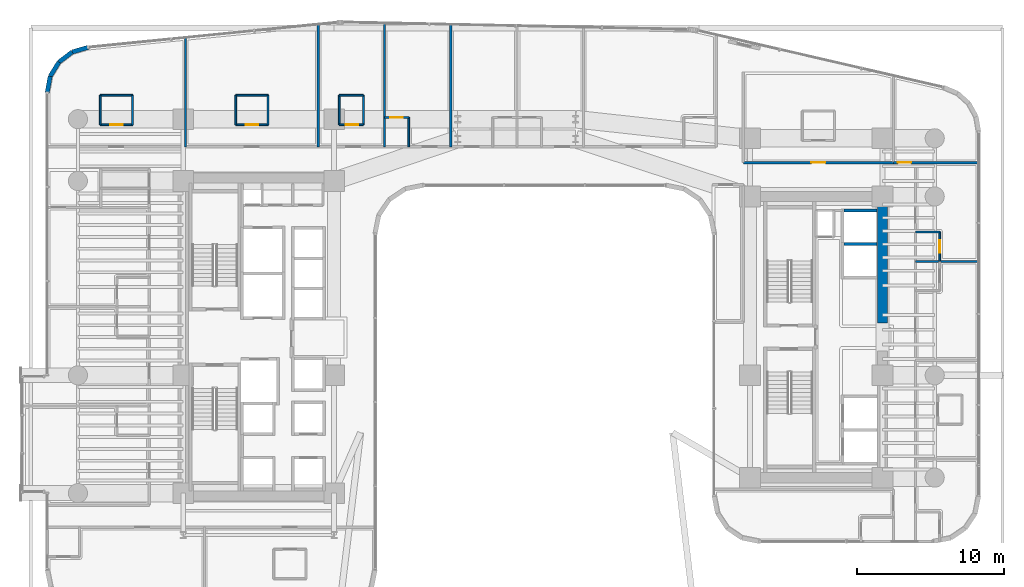
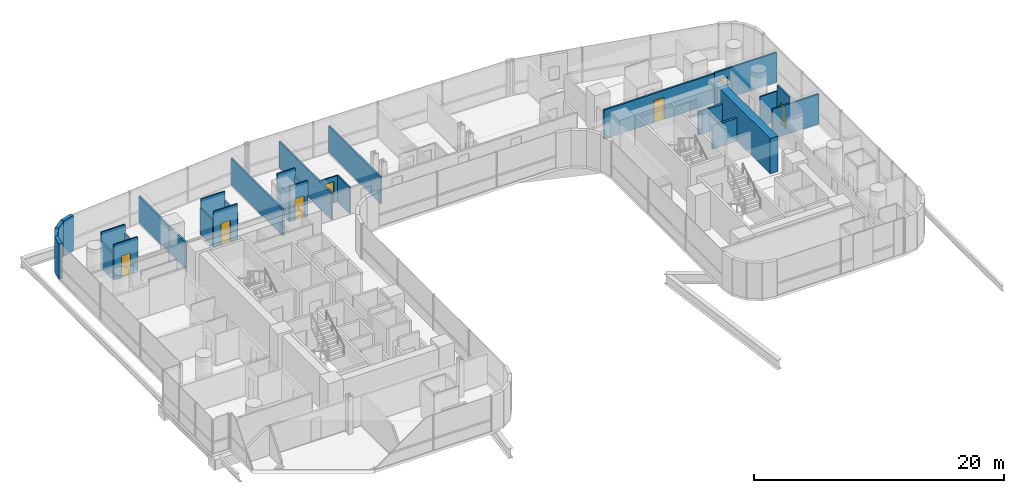
# One storey, part 42 of 50: 30 walls, 7 doors, 7 openings.
"""IFC4 building model written with IfcOpenShell, lengths in metres."""

from ifc_helpers import new_model, si_unit, direction, frame, frame_2d, origin, place, context, subcontext, project, spatial, rectangle, extrude, material, layer, layer_set, type_object, element, fill, save


model = new_model("IFC4")

# Units and contexts
model_context = context("Model", 3, precision=1e-05, world=origin(), true_north=direction((0.0, 1.0)))
body_context = subcontext(model_context, "Body", "Model", "MODEL_VIEW")
ifc_project = project(units=[si_unit("LENGTHUNIT", "METRE"), si_unit("AREAUNIT", "SQUARE_METRE"), si_unit("VOLUMEUNIT", "CUBIC_METRE"), si_unit("PLANEANGLEUNIT", "RADIAN"), si_unit("MASSUNIT", "GRAM", prefix="KILO")], contexts=[model_context])

# Site, building, storey
site_placement = place(None, origin())
site = spatial("IfcSite", under=ifc_project, at=site_placement, CompositionType="ELEMENT")
building_placement = place(site_placement, origin())
building = spatial("IfcBuilding", under=site, at=building_placement, Name="Valdorenza Pilgrim Sanctuary Tower", CompositionType="ELEMENT")
storey_placement = place(building_placement, frame((0.0, 0.0, 26.0)))
storey = spatial("IfcBuildingStorey", under=building, at=storey_placement, Name="L05", CompositionType="ELEMENT", Elevation=26.0)

# Wall, opening, door
ifc_material_1 = material(Name="Acoustic twin-stud gypsum partition", Category="gypsum")
ifc_layer_1 = layer(ifc_material_1, 0.159912109375, Name="Acoustic twin-stud gypsum partition")
ifc_layer_set_1 = layer_set([ifc_layer_1], Name="Acoustic twin-stud gypsum partition")
wall_type_1 = type_object("IfcWallType", Name="WAL-COR-160", PredefinedType="PARTITIONING", material=ifc_layer_set_1)
wall_1_placement = place(storey_placement, frame((15.39990234375, 11.85009765625, 0.0), z_axis=(0.0, 0.0, 1.0), x_axis=(1.0, 0.0, 0.0)))
wall_1 = element("IfcWall", 1, at=wall_1_placement, inside=storey, type_object=wall_type_1, Name="L05 Wing B North Corridor Wall", PredefinedType="PARTITIONING", context=body_context, shape_type="SweptSolid", body=[
    extrude(rectangle(XDim=10.2001953125, YDim=0.159912109375, at=frame_2d((5.10009765625, 0.0))), origin(), (0.0, 0.0, 1.0), 2.833984375),
])
opening_1_placement = place(wall_1_placement, frame((4.625, 0.0, 0.0)))
opening_1 = element("IfcOpeningElement", 2, at=opening_1_placement, cuts=wall_1, Name="Opening DR-UN1", PredefinedType="OPENING", context=body_context, shape_type="SweptSolid", body=[
    extrude(rectangle(XDim=0.949951171875, YDim=2.14990234375, at=frame_2d((0.47509765625, 1.074951171875))), frame((0.0, 0.0947265625, 0.0), z_axis=(0.0, -1.0, 0.0), x_axis=(1.0, 0.0, 0.0)), (0.0, 0.0, 1.0), 0.189697265625),
])
ifc_material_2 = material(Name="Solid-core European oak timber", Category="wood")
door_type_1 = type_object("IfcDoorType", Name="DR-UNIT-950", OperationType="NOTDEFINED", PredefinedType="DOOR", material=ifc_material_2)
door_1_placement = place(opening_1_placement, frame((0.949951171875, 0.0, 0.0), z_axis=(0.0, 0.0, 1.0), x_axis=(-1.0, 0.0, 0.0)))
door_1 = element("IfcDoor", 3, at=door_1_placement, inside=storey, type_object=door_type_1, Name="L05 East North Guest Room L05-EN1 Entrance Door", OperationType="SINGLE_SWING_LEFT", OverallHeight=2.14990234375, OverallWidth=0.949951171875, PredefinedType="DOOR", context=body_context, shape_type="SweptSolid", body=[
    extrude(rectangle(XDim=0.949951171875, YDim=2.14990234375, at=frame_2d((0.47509765625, 1.074951171875))), frame((0.0, 0.02490234375, 0.0), z_axis=(0.0, -1.0, 0.0), x_axis=(1.0, 0.0, 0.0)), (0.0, 0.0, 1.0), 0.050048828125),
])
fill(opening_1, door_1)

wall_2_placement = place(storey_placement, frame((25.60009765625, 11.85009765625, 0.0), z_axis=(0.0, 0.0, 1.0), x_axis=(1.0, 0.0, 0.0)))
wall_2 = element("IfcWall", 4, at=wall_2_placement, inside=storey, type_object=wall_type_1, Name="L05 East Wing NE Corner South Wall", PredefinedType="PARTITIONING", context=body_context, shape_type="SweptSolid", body=[
    extrude(rectangle(XDim=5.789794921875, YDim=0.159912109375, at=frame_2d((2.89501953125, 0.0))), origin(), (0.0, 0.0, 1.0), 2.89599609375),
])
opening_2_placement = place(wall_2_placement, frame((0.300048828125, 0.0, 0.0)))
opening_2 = element("IfcOpeningElement", 5, at=opening_2_placement, cuts=wall_2, Name="Opening DR-RM1", PredefinedType="OPENING", context=body_context, shape_type="SweptSolid", body=[
    extrude(rectangle(XDim=0.89990234375, YDim=2.10009765625, at=frame_2d((0.449951171875, 1.050048828125))), frame((0.0, 0.0947265625, 0.0), z_axis=(0.0, -1.0, 0.0), x_axis=(1.0, 0.0, 0.0)), (0.0, 0.0, 1.0), 0.189697265625),
])
door_type_2 = type_object("IfcDoorType", Name="DR-ROOM-900", OperationType="NOTDEFINED", PredefinedType="DOOR", material=ifc_material_2)
door_2_placement = place(opening_2_placement, origin())
door_2 = element("IfcDoor", 6, at=door_2_placement, inside=storey, type_object=door_type_2, Name="L05 East North Alcove Office L05 Door", OperationType="SINGLE_SWING_LEFT", OverallHeight=2.10009765625, OverallWidth=0.89990234375, PredefinedType="DOOR", context=body_context, shape_type="SweptSolid", body=[
    extrude(rectangle(XDim=0.89990234375, YDim=2.10009765625, at=frame_2d((0.449951171875, 1.050048828125))), frame((0.0, 0.02490234375, 0.0), z_axis=(0.0, -1.0, 0.0), x_axis=(1.0, 0.0, 0.0)), (0.0, 0.0, 1.0), 0.050048828125),
])
fill(opening_2, door_2)

# Walls
ifc_material_3 = material(Name="Concrete C60/75", Category="concrete")
ifc_layer_2 = layer(ifc_material_3, 0.699951171875, Name="Concrete C60/75")
ifc_layer_set_2 = layer_set([ifc_layer_2], Name="Concrete C60/75")
wall_type_2 = type_object("IfcWallType", Name="WAL-COR-700", PredefinedType="SHEAR", material=ifc_layer_set_2)
wall_3_placement = place(storey_placement, frame((24.85009765625, 0.949951171875, 0.0), z_axis=(0.0, 0.0, 1.0), x_axis=(0.0, 1.0, 0.0)))
element("IfcWall", 7, at=wall_3_placement, inside=storey, type_object=wall_type_2, Name="L05 Split Core B Shear Wall EN", PredefinedType="SHEAR", context=body_context, shape_type="SweptSolid", body=[
    extrude(rectangle(XDim=8.949951171875, YDim=0.699951171875, at=frame_2d((4.47509765625, 0.0))), origin(), (0.0, 0.0, 1.0), 3.4599609375),
])
ifc_material_4 = material(Name="Honed travertine limestone", Category="masonry")
ifc_layer_3 = layer(ifc_material_4, 0.300048828125, Name="Honed travertine limestone")
ifc_layer_set_3 = layer_set([ifc_layer_3], Name="Honed travertine limestone")
wall_type_3 = type_object("IfcWallType", Name="WAL-EXT-300", PredefinedType="SOLIDWALL", material=ifc_layer_set_3)
wall_4_placement = place(storey_placement, frame((-31.889892578125, 16.593994140625, 0.0), z_axis=(0.0, 0.0, 1.0), x_axis=(0.182748995683, 0.9831596028, 0.0)))
element("IfcWall", 8, at=wall_4_placement, inside=storey, type_object=wall_type_3, Name="L05 Rounded Wind-Corner Stone Pier 2", PredefinedType="SOLIDWALL", context=body_context, shape_type="SweptSolid", body=[
    extrude(rectangle(XDim=1.1396484375, YDim=0.300048828125, at=frame_2d((0.56982421875, 0.0))), origin(), (0.0, 0.0, 1.0), 3.4599609375),
])
wall_5_placement = place(storey_placement, frame((-31.681640625, 17.71435546875, 0.0), z_axis=(0.0, 0.0, 1.0), x_axis=(0.524157723014, 0.8516212077, 0.0)))
element("IfcWall", 9, at=wall_5_placement, inside=storey, type_object=wall_type_3, Name="L05 Rounded Wind-Corner Stone Pier 3", PredefinedType="SOLIDWALL", context=body_context, shape_type="SweptSolid", body=[
    extrude(rectangle(XDim=1.12939453125, YDim=0.300048828125, at=frame_2d((0.564697265625, 0.0))), origin(), (0.0, 0.0, 1.0), 3.4599609375),
])
wall_6_placement = place(storey_placement, frame((-31.089599609375, 18.67626953125, 0.0), z_axis=(0.0, 0.0, 1.0), x_axis=(0.795253002434, 0.606277710393, 0.0)))
element("IfcWall", 10, at=wall_6_placement, inside=storey, type_object=wall_type_3, Name="L05 Rounded Wind-Corner Stone Pier 4", PredefinedType="SOLIDWALL", context=body_context, shape_type="SweptSolid", body=[
    extrude(rectangle(XDim=1.129150390625, YDim=0.300048828125, at=frame_2d((0.564453125, 0.0))), origin(), (0.0, 0.0, 1.0), 3.4599609375),
])
wall_7_placement = place(storey_placement, frame((-30.191650390625, 19.36083984375, 0.0), z_axis=(0.0, 0.0, 1.0), x_axis=(0.960071941549, 0.279753225271, 0.0)))
element("IfcWall", 11, at=wall_7_placement, inside=storey, type_object=wall_type_3, Name="L05 Rounded Wind-Corner Stone Pier 5", PredefinedType="SOLIDWALL", context=body_context, shape_type="SweptSolid", body=[
    extrude(rectangle(XDim=1.1396484375, YDim=0.300048828125, at=frame_2d((0.56982421875, 0.0))), origin(), (0.0, 0.0, 1.0), 3.4599609375),
])
ifc_material_5 = material(Name="Moisture-resistant gypsum partition", Category="gypsum")
ifc_layer_4 = layer(ifc_material_5, 0.1201171875, Name="Moisture-resistant gypsum partition")
ifc_layer_set_4 = layer_set([ifc_layer_4], Name="Moisture-resistant gypsum partition")
wall_type_4 = type_object("IfcWallType", Name="WAL-INT-120", PredefinedType="PARTITIONING", material=ifc_layer_set_4)
for number, where, z_axis, x_axis, name in (
    (12, (-28.2900390625, 14.419921875, 0.0), (0.0, 0.0, 1.0), (0.0, 1.0, 0.0), "L05 North Guest Room L05-N1 En-suite West Wall"),
    (13, (-26.090087890625, 14.419921875, 0.0), (0.0, 0.0, 1.0), (0.0, 1.0, 0.0), "L05 North Guest Room L05-N1 En-suite East Wall"),
):
    element("IfcWall", number, at=place(storey_placement, frame(where, z_axis=z_axis, x_axis=x_axis)), inside=storey, type_object=wall_type_4, Name=name, PredefinedType="PARTITIONING", context=body_context, shape_type="SweptSolid", body=[
        extrude(rectangle(XDim=2.0, YDim=0.1201171875, at=frame_2d((1.0, 0.0))), origin(), (0.0, 0.0, 1.0), 2.5830078125),
    ])
wall_8_placement = place(storey_placement, frame((-28.2900390625, 16.419921875, 0.0), z_axis=(0.0, 0.0, 1.0), x_axis=(1.0, 0.0, 0.0)))
element("IfcWall", 14, at=wall_8_placement, inside=storey, type_object=wall_type_4, Name="L05 North Guest Room L05-N1 En-suite Back Wall", PredefinedType="PARTITIONING", context=body_context, shape_type="SweptSolid", body=[
    extrude(rectangle(XDim=2.199951171875, YDim=0.1201171875, at=frame_2d((1.10009765625, 0.0))), origin(), (0.0, 0.0, 1.0), 3.4599609375),
])

# Wall, opening, door
wall_9_placement = place(storey_placement, frame((-28.2900390625, 14.419921875, 0.0), z_axis=(0.0, 0.0, 1.0), x_axis=(1.0, 0.0, 0.0)))
wall_9 = element("IfcWall", 15, at=wall_9_placement, inside=storey, type_object=wall_type_4, Name="L05 North Guest Room L05-N1 En-suite Door Wall", PredefinedType="PARTITIONING", context=body_context, shape_type="SweptSolid", body=[
    extrude(rectangle(XDim=2.199951171875, YDim=0.1201171875, at=frame_2d((1.10009765625, 0.0))), origin(), (0.0, 0.0, 1.0), 3.4599609375),
])
opening_3_placement = place(wall_9_placement, frame((0.675048828125, 0.0, 0.0)))
opening_3 = element("IfcOpeningElement", 16, at=opening_3_placement, cuts=wall_9, Name="Opening DR-WC1", PredefinedType="OPENING", context=body_context, shape_type="SweptSolid", body=[
    extrude(rectangle(XDim=0.85009765625, YDim=2.10009765625, at=frame_2d((0.425048828125, 1.050048828125))), frame((0.0, 0.074951171875, 0.0), z_axis=(0.0, -1.0, 0.0), x_axis=(1.0, 0.0, 0.0)), (0.0, 0.0, 1.0), 0.14990234375),
])
ifc_material_6 = material(Name="Moisture-resistant lacquered timber", Category="wood")
door_type_3 = type_object("IfcDoorType", Name="DR-BATH-850", OperationType="NOTDEFINED", PredefinedType="DOOR", material=ifc_material_6)
door_3_placement = place(opening_3_placement, origin())
door_3 = element("IfcDoor", 17, at=door_3_placement, inside=storey, type_object=door_type_3, Name="L05 North Guest Room L05-N1 En-suite Bathroom Door", OperationType="SINGLE_SWING_RIGHT", OverallHeight=2.10009765625, OverallWidth=0.85009765625, PredefinedType="DOOR", context=body_context, shape_type="SweptSolid", body=[
    extrude(rectangle(XDim=0.85009765625, YDim=2.10009765625, at=frame_2d((0.425048828125, 1.050048828125))), frame((0.0, 0.02490234375, 0.0), z_axis=(0.0, -1.0, 0.0), x_axis=(1.0, 0.0, 0.0)), (0.0, 0.0, 1.0), 0.050048828125),
])
fill(opening_3, door_3)

# Walls
for number, where, z_axis, x_axis, name in (
    (18, (-19.0849609375, 14.419921875, 0.0), (0.0, 0.0, 1.0), (0.0, 1.0, 0.0), "L05 North Guest Room L05-N2 En-suite West Wall"),
    (19, (-16.885009765625, 14.419921875, 0.0), (0.0, 0.0, 1.0), (0.0, 1.0, 0.0), "L05 North Guest Room L05-N2 En-suite East Wall"),
):
    element("IfcWall", number, at=place(storey_placement, frame(where, z_axis=z_axis, x_axis=x_axis)), inside=storey, type_object=wall_type_4, Name=name, PredefinedType="PARTITIONING", context=body_context, shape_type="SweptSolid", body=[
        extrude(rectangle(XDim=2.0, YDim=0.1201171875, at=frame_2d((1.0, 0.0))), origin(), (0.0, 0.0, 1.0), 2.5830078125),
    ])
wall_10_placement = place(storey_placement, frame((-19.0849609375, 16.419921875, 0.0), z_axis=(0.0, 0.0, 1.0), x_axis=(1.0, 0.0, 0.0)))
element("IfcWall", 20, at=wall_10_placement, inside=storey, type_object=wall_type_4, Name="L05 North Guest Room L05-N2 En-suite Back Wall", PredefinedType="PARTITIONING", context=body_context, shape_type="SweptSolid", body=[
    extrude(rectangle(XDim=2.199951171875, YDim=0.1201171875, at=frame_2d((1.10009765625, 0.0))), origin(), (0.0, 0.0, 1.0), 3.4599609375),
])

# Wall, opening, door
wall_11_placement = place(storey_placement, frame((-19.0849609375, 14.419921875, 0.0), z_axis=(0.0, 0.0, 1.0), x_axis=(1.0, 0.0, 0.0)))
wall_11 = element("IfcWall", 21, at=wall_11_placement, inside=storey, type_object=wall_type_4, Name="L05 North Guest Room L05-N2 En-suite Door Wall", PredefinedType="PARTITIONING", context=body_context, shape_type="SweptSolid", body=[
    extrude(rectangle(XDim=2.199951171875, YDim=0.1201171875, at=frame_2d((1.10009765625, 0.0))), origin(), (0.0, 0.0, 1.0), 3.4599609375),
])
opening_4_placement = place(wall_11_placement, frame((0.675048828125, 0.0, 0.0)))
opening_4 = element("IfcOpeningElement", 22, at=opening_4_placement, cuts=wall_11, Name="Opening DR-WC1", PredefinedType="OPENING", context=body_context, shape_type="SweptSolid", body=[
    extrude(rectangle(XDim=0.85009765625, YDim=2.10009765625, at=frame_2d((0.425048828125, 1.050048828125))), frame((0.0, 0.074951171875, 0.0), z_axis=(0.0, -1.0, 0.0), x_axis=(1.0, 0.0, 0.0)), (0.0, 0.0, 1.0), 0.14990234375),
])
door_4_placement = place(opening_4_placement, origin())
door_4 = element("IfcDoor", 23, at=door_4_placement, inside=storey, type_object=door_type_3, Name="L05 North Guest Room L05-N2 En-suite Bathroom Door", OperationType="SINGLE_SWING_RIGHT", OverallHeight=2.10009765625, OverallWidth=0.85009765625, PredefinedType="DOOR", context=body_context, shape_type="SweptSolid", body=[
    extrude(rectangle(XDim=0.85009765625, YDim=2.10009765625, at=frame_2d((0.425048828125, 1.050048828125))), frame((0.0, 0.02490234375, 0.0), z_axis=(0.0, -1.0, 0.0), x_axis=(1.0, 0.0, 0.0)), (0.0, 0.0, 1.0), 0.050048828125),
])
fill(opening_4, door_4)

# Walls
for number, where, z_axis, x_axis, name in (
    (24, (-12.052490234375, 14.419921875, 0.0), (0.0, 0.0, 1.0), (0.0, 1.0, 0.0), "L05 North Guest Room L05-N3A En-suite West Wall"),
    (25, (-10.402587890625, 14.419921875, 0.0), (0.0, 0.0, 1.0), (0.0, 1.0, 0.0), "L05 North Guest Room L05-N3A En-suite East Wall"),
):
    element("IfcWall", number, at=place(storey_placement, frame(where, z_axis=z_axis, x_axis=x_axis)), inside=storey, type_object=wall_type_4, Name=name, PredefinedType="PARTITIONING", context=body_context, shape_type="SweptSolid", body=[
        extrude(rectangle(XDim=2.0, YDim=0.1201171875, at=frame_2d((1.0, 0.0))), origin(), (0.0, 0.0, 1.0), 2.5830078125),
    ])
wall_12_placement = place(storey_placement, frame((-12.052490234375, 16.419921875, 0.0), z_axis=(0.0, 0.0, 1.0), x_axis=(1.0, 0.0, 0.0)))
element("IfcWall", 26, at=wall_12_placement, inside=storey, type_object=wall_type_4, Name="L05 North Guest Room L05-N3A En-suite Back Wall", PredefinedType="PARTITIONING", context=body_context, shape_type="SweptSolid", body=[
    extrude(rectangle(XDim=1.64990234375, YDim=0.1201171875, at=frame_2d((0.824951171875, 0.0))), origin(), (0.0, 0.0, 1.0), 3.4599609375),
])

# Wall, opening, door
wall_13_placement = place(storey_placement, frame((-12.052490234375, 14.419921875, 0.0), z_axis=(0.0, 0.0, 1.0), x_axis=(1.0, 0.0, 0.0)))
wall_13 = element("IfcWall", 27, at=wall_13_placement, inside=storey, type_object=wall_type_4, Name="L05 North Guest Room L05-N3A En-suite Door Wall", PredefinedType="PARTITIONING", context=body_context, shape_type="SweptSolid", body=[
    extrude(rectangle(XDim=1.64990234375, YDim=0.1201171875, at=frame_2d((0.824951171875, 0.0))), origin(), (0.0, 0.0, 1.0), 3.4599609375),
])
opening_5_placement = place(wall_13_placement, frame((0.4599609375, 0.0, 0.0)))
opening_5 = element("IfcOpeningElement", 28, at=opening_5_placement, cuts=wall_13, Name="Opening DR-WC1", PredefinedType="OPENING", context=body_context, shape_type="SweptSolid", body=[
    extrude(rectangle(XDim=0.85009765625, YDim=2.10009765625, at=frame_2d((0.425048828125, 1.050048828125))), frame((0.0, 0.074951171875, 0.0), z_axis=(0.0, -1.0, 0.0), x_axis=(1.0, 0.0, 0.0)), (0.0, 0.0, 1.0), 0.14990234375),
])
door_5_placement = place(opening_5_placement, origin())
door_5 = element("IfcDoor", 29, at=door_5_placement, inside=storey, type_object=door_type_3, Name="L05 North Guest Room L05-N3A En-suite Bathroom Door", OperationType="SINGLE_SWING_RIGHT", OverallHeight=2.10009765625, OverallWidth=0.85009765625, PredefinedType="DOOR", context=body_context, shape_type="SweptSolid", body=[
    extrude(rectangle(XDim=0.85009765625, YDim=2.10009765625, at=frame_2d((0.425048828125, 1.050048828125))), frame((0.0, 0.02490234375, 0.0), z_axis=(0.0, -1.0, 0.0), x_axis=(1.0, 0.0, 0.0)), (0.0, 0.0, 1.0), 0.050048828125),
])
fill(opening_5, door_5)

# Wall
wall_14_placement = place(storey_placement, frame((-7.324951171875, 12.919921875, 0.0), z_axis=(0.0, 0.0, 1.0), x_axis=(0.0, 1.0, 0.0)))
element("IfcWall", 30, at=wall_14_placement, inside=storey, type_object=wall_type_4, Name="L05 North Guest Room L05-N3B En-suite East Wall", PredefinedType="PARTITIONING", context=body_context, shape_type="SweptSolid", body=[
    extrude(rectangle(XDim=2.0, YDim=0.1201171875, at=frame_2d((1.0, 0.0))), origin(), (0.0, 0.0, 1.0), 2.5830078125),
])

# Wall, opening, door
wall_15_placement = place(storey_placement, frame((-8.97509765625, 14.919921875, 0.0), z_axis=(0.0, 0.0, 1.0), x_axis=(1.0, 0.0, 0.0)))
wall_15 = element("IfcWall", 31, at=wall_15_placement, inside=storey, type_object=wall_type_4, Name="L05 North Guest Room L05-N3B En-suite Door Wall", PredefinedType="PARTITIONING", context=body_context, shape_type="SweptSolid", body=[
    extrude(rectangle(XDim=1.650146484375, YDim=0.1201171875, at=frame_2d((0.8251953125, 0.0))), origin(), (0.0, 0.0, 1.0), 2.5830078125),
])
opening_6_placement = place(wall_15_placement, frame((0.39990234375, 0.0, 0.0)))
opening_6 = element("IfcOpeningElement", 32, at=opening_6_placement, cuts=wall_15, Name="Opening DR-WC1", PredefinedType="OPENING", context=body_context, shape_type="SweptSolid", body=[
    extrude(rectangle(XDim=0.85009765625, YDim=2.10009765625, at=frame_2d((0.425048828125, 1.050048828125))), frame((0.0, 0.074951171875, 0.0), z_axis=(0.0, -1.0, 0.0), x_axis=(1.0, 0.0, 0.0)), (0.0, 0.0, 1.0), 0.14990234375),
])
door_6_placement = place(opening_6_placement, origin())
door_6 = element("IfcDoor", 33, at=door_6_placement, inside=storey, type_object=door_type_3, Name="L05 North Guest Room L05-N3B En-suite Bathroom Door", OperationType="SINGLE_SWING_RIGHT", OverallHeight=2.10009765625, OverallWidth=0.85009765625, PredefinedType="DOOR", context=body_context, shape_type="SweptSolid", body=[
    extrude(rectangle(XDim=0.85009765625, YDim=2.10009765625, at=frame_2d((0.425048828125, 1.050048828125))), frame((0.0, 0.02490234375, 0.0), z_axis=(0.0, -1.0, 0.0), x_axis=(1.0, 0.0, 0.0)), (0.0, 0.0, 1.0), 0.050048828125),
])
fill(opening_6, door_6)

# Wall
wall_16_placement = place(storey_placement, frame((27.10009765625, 7.137939453125, 0.0), z_axis=(0.0, 0.0, 1.0), x_axis=(1.0, 0.0, 0.0)))
element("IfcWall", 34, at=wall_16_placement, inside=storey, type_object=wall_type_4, Name="L05 East Sanctuary Guest Room L05-EG4 En-suite North Wall", PredefinedType="PARTITIONING", context=body_context, shape_type="SweptSolid", body=[
    extrude(rectangle(XDim=1.64990234375, YDim=0.1201171875, at=frame_2d((0.824951171875, 0.0))), origin(), (0.0, 0.0, 1.0), 2.89599609375),
])

# Wall, opening, door
wall_17_placement = place(storey_placement, frame((28.75, 5.137939453125, 0.0), z_axis=(0.0, 0.0, 1.0), x_axis=(0.0, 1.0, 0.0)))
wall_17 = element("IfcWall", 35, at=wall_17_placement, inside=storey, type_object=wall_type_4, Name="L05 East Sanctuary Guest Room L05-EG4 En-suite Door Wall", PredefinedType="PARTITIONING", context=body_context, shape_type="SweptSolid", body=[
    extrude(rectangle(XDim=2.0, YDim=0.1201171875, at=frame_2d((1.0, 0.0))), origin(), (0.0, 0.0, 1.0), 3.4599609375),
])
opening_7_placement = place(wall_17_placement, frame((0.574951171875, 0.0, 0.0)))
opening_7 = element("IfcOpeningElement", 36, at=opening_7_placement, cuts=wall_17, Name="Opening DR-WC1", PredefinedType="OPENING", context=body_context, shape_type="SweptSolid", body=[
    extrude(rectangle(XDim=0.85009765625, YDim=2.10009765625, at=frame_2d((0.425048828125, 1.050048828125))), frame((0.0, 0.074951171875, 0.0), z_axis=(0.0, -1.0, 0.0), x_axis=(1.0, 0.0, 0.0)), (0.0, 0.0, 1.0), 0.14990234375),
])
door_7_placement = place(opening_7_placement, origin())
door_7 = element("IfcDoor", 37, at=door_7_placement, inside=storey, type_object=door_type_3, Name="L05 East Sanctuary Guest Room L05-EG4 En-suite Bathroom Door", OperationType="SINGLE_SWING_LEFT", OverallHeight=2.10009765625, OverallWidth=0.85009765625, PredefinedType="DOOR", context=body_context, shape_type="SweptSolid", body=[
    extrude(rectangle(XDim=0.85009765625, YDim=2.10009765625, at=frame_2d((0.425048828125, 1.050048828125))), frame((0.0, 0.02490234375, 0.0), z_axis=(0.0, -1.0, 0.0), x_axis=(1.0, 0.0, 0.0)), (0.0, 0.0, 1.0), 0.050048828125),
])
fill(opening_7, door_7)

# Walls
ifc_material_7 = material(Name="Autoclaved aerated concrete blockwork", Category="masonry")
ifc_layer_5 = layer(ifc_material_7, 0.199951171875, Name="Autoclaved aerated concrete blockwork")
ifc_layer_set_5 = layer_set([ifc_layer_5], Name="Autoclaved aerated concrete blockwork")
wall_type_5 = type_object("IfcWallType", Name="WAL-SHF-200", PredefinedType="MOVABLE", material=ifc_layer_set_5)
for number, where, z_axis, x_axis, name in (
    (38, (22.25, 6.324951171875, 0.0), (0.0, 0.0, 1.0), (1.0, 0.0, 0.0), "L05 Lift PL-07 Hoistway Wall North"),
    (39, (22.25, 8.60009765625, 0.0), (0.0, 0.0, 1.0), (1.0, 0.0, 0.0), "L05 Lift PL-08 Hoistway Wall North"),
):
    element("IfcWall", number, at=place(storey_placement, frame(where, z_axis=z_axis, x_axis=x_axis)), inside=storey, type_object=wall_type_5, Name=name, PredefinedType="MOVABLE", context=body_context, shape_type="SweptSolid", body=[
        extrude(rectangle(XDim=2.22998046875, YDim=0.199951171875, at=frame_2d((1.114990234375, 0.0))), origin(), (0.0, 0.0, 1.0), 2.2451171875),
    ])
ifc_layer_6 = layer(ifc_material_1, 0.14990234375, Name="Acoustic twin-stud gypsum partition")
ifc_layer_set_6 = layer_set([ifc_layer_6], Name="Acoustic twin-stud gypsum partition")
wall_type_6 = type_object("IfcWallType", Name="WAL-UNT-150", PredefinedType="PARTITIONING", material=ifc_layer_set_6)
wall_18_placement = place(storey_placement, frame((-22.489990234375, 12.919921875, 0.0), z_axis=(0.0, 0.0, 1.0), x_axis=(0.0, 1.0, 0.0)))
element("IfcWall", 40, at=wall_18_placement, inside=storey, type_object=wall_type_6, Name="L05 North Demising 1", PredefinedType="PARTITIONING", context=body_context, shape_type="SweptSolid", body=[
    extrude(rectangle(XDim=7.420654296875, YDim=0.14990234375, at=frame_2d((3.71044921875, 0.0))), origin(), (0.0, 0.0, 1.0), 2.5830078125),
])
wall_19_placement = place(storey_placement, frame((-13.47998046875, 12.919921875, 0.0), z_axis=(0.0, 0.0, 1.0), x_axis=(0.0, 1.0, 0.0)))
element("IfcWall", 41, at=wall_19_placement, inside=storey, type_object=wall_type_6, Name="L05 North Demising 2", PredefinedType="PARTITIONING", context=body_context, shape_type="SweptSolid", body=[
    extrude(rectangle(XDim=8.321533203125, YDim=0.14990234375, at=frame_2d((4.16064453125, 0.0))), origin(), (0.0, 0.0, 1.0), 2.5830078125),
])
wall_20_placement = place(storey_placement, frame((-4.469970703125, 12.919921875, 0.0), z_axis=(0.0, 0.0, 1.0), x_axis=(0.0, 1.0, 0.0)))
element("IfcWall", 42, at=wall_20_placement, inside=storey, type_object=wall_type_6, Name="L05 North Demising 3", PredefinedType="PARTITIONING", context=body_context, shape_type="SweptSolid", body=[
    extrude(rectangle(XDim=8.313232421875, YDim=0.14990234375, at=frame_2d((4.15673828125, 0.0))), origin(), (0.0, 0.0, 1.0), 2.5830078125),
])
wall_21_placement = place(storey_placement, frame((-8.97509765625, 12.919921875, 0.0), z_axis=(0.0, 0.0, 1.0), x_axis=(0.0, 1.0, 0.0)))
element("IfcWall", 43, at=wall_21_placement, inside=storey, type_object=wall_type_6, Name="L05 North Guest Room L05-N3 Split Wall", PredefinedType="PARTITIONING", context=body_context, shape_type="SweptSolid", body=[
    extrude(rectangle(XDim=8.406982421875, YDim=0.14990234375, at=frame_2d((4.20361328125, 0.0))), origin(), (0.0, 0.0, 1.0), 2.5830078125),
])
wall_22_placement = place(storey_placement, frame((27.10009765625, 5.137939453125, 0.0), z_axis=(0.0, 0.0, 1.0), x_axis=(1.0, 0.0, 0.0)))
element("IfcWall", 44, at=wall_22_placement, inside=storey, type_object=wall_type_6, Name="L05 East Wing Guest Demising 3", PredefinedType="PARTITIONING", context=body_context, shape_type="SweptSolid", body=[
    extrude(rectangle(XDim=4.289794921875, YDim=0.14990234375, at=frame_2d((2.14501953125, 0.0))), origin(), (0.0, 0.0, 1.0), 2.89599609375),
])

save(model, "model.ifc")
